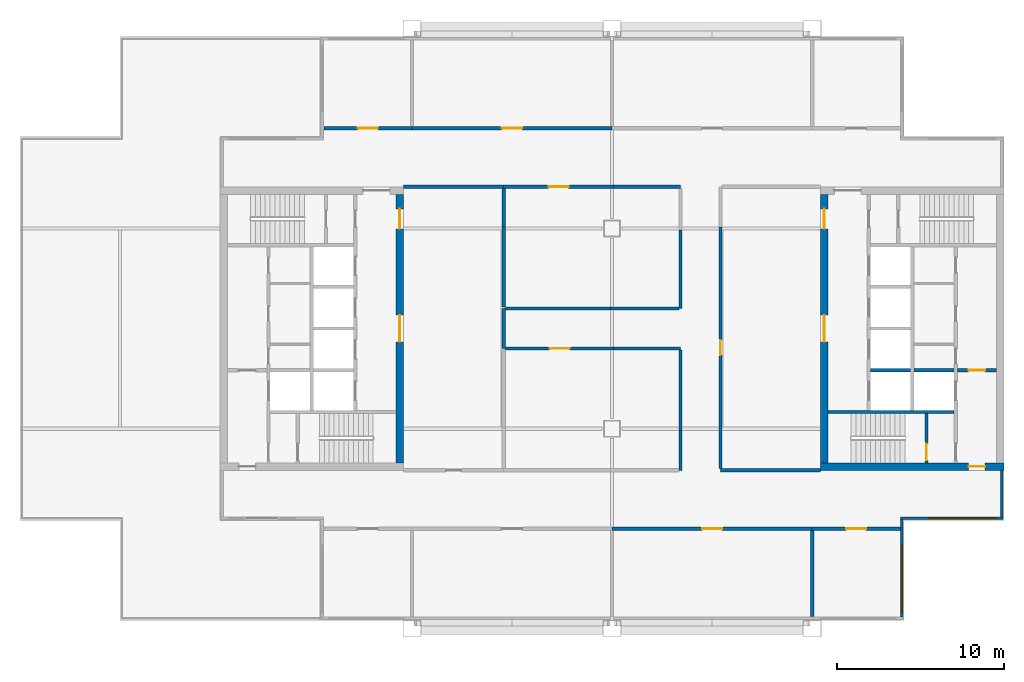
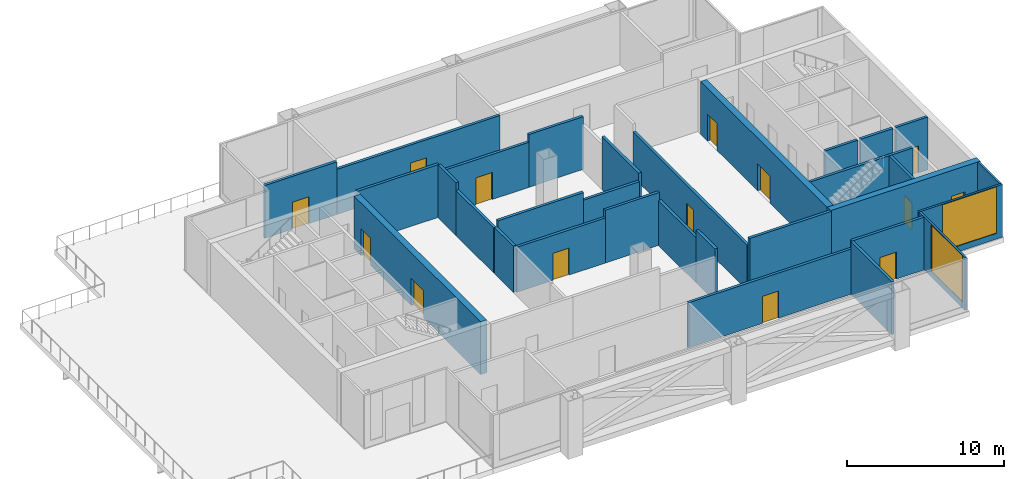
# One storey, part 3 of 6: 31 walls, 14 doors, 2 windows, 16 openings.
"""IFC4 building model written with IfcOpenShell, lengths in metres."""

from ifc_helpers import new_model, si_unit, direction, frame, frame_2d, origin, place, context, subcontext, project, spatial, rectangle, extrude, material, layer, layer_set, type_object, element, fill, save


model = new_model("IFC4")

# Units and contexts
model_context = context("Model", 3, precision=1e-05, world=origin(), true_north=direction((0.0, 1.0)))
body_context = subcontext(model_context, "Body", "Model", "MODEL_VIEW")
ifc_project = project(units=[si_unit("LENGTHUNIT", "METRE"), si_unit("AREAUNIT", "SQUARE_METRE"), si_unit("VOLUMEUNIT", "CUBIC_METRE"), si_unit("PLANEANGLEUNIT", "RADIAN"), si_unit("MASSUNIT", "GRAM", prefix="KILO")], contexts=[model_context])

# Site, building, storey
site_placement = place(None, origin())
site = spatial("IfcSite", under=ifc_project, at=site_placement, CompositionType="ELEMENT")
building_placement = place(site_placement, origin())
building = spatial("IfcBuilding", under=site, at=building_placement, Name="Kitamizu Gate Tower and Museum", CompositionType="ELEMENT")
storey_placement = place(building_placement, frame((0.0, 0.0, 213.449951171875)))
storey = spatial("IfcBuildingStorey", under=building, at=storey_placement, Name="L57", CompositionType="ELEMENT", Elevation=213.449951171875)

# Wall, openings, doors
ifc_material_1 = material(Name="Concrete Fc42", Category="concrete")
ifc_layer_1 = layer(ifc_material_1, 0.449951171875)
ifc_layer_set_1 = layer_set([ifc_layer_1], Name="Concrete Fc42")
wall_type_1 = type_object("IfcWallType", Name="Core wall 450", PredefinedType="SHEAR", material=ifc_layer_set_1)
wall_1_placement = place(storey_placement, frame((23.27490234375, 21.949951171875, 0.0), z_axis=(0.0, 0.0, 1.0), x_axis=(0.0, 1.0, 0.0)))
wall_1 = element("IfcWall", 1, at=wall_1_placement, inside=storey, type_object=wall_type_1, Name="Core wall WARC", PredefinedType="SHEAR", context=body_context, shape_type="SweptSolid", body=[
    extrude(rectangle(XDim=16.10009765625, YDim=0.449951171875, at=frame_2d((8.050048828125, 0.0))), origin(), (0.0, 0.0, 1.0), 4.10009765625),
])
opening_1_placement = place(wall_1_placement, frame((7.25, 0.0, 0.0)))
opening_1 = element("IfcOpeningElement", 2, at=opening_1_placement, cuts=wall_1, Name="Opening L57-020", PredefinedType="OPENING", context=body_context, shape_type="SweptSolid", body=[
    extrude(rectangle(XDim=1.60009765625, YDim=2.10009765625, at=frame_2d((0.800048828125, 1.050048828125))), frame((0.0, 0.23486328125, 0.0), z_axis=(0.0, -1.0, 0.0), x_axis=(1.0, 0.0, 0.0)), (0.0, 0.0, 1.0), 0.469970703125),
])
opening_2_placement = place(wall_1_placement, frame((14.02490234375, 0.0, 0.0)))
opening_2 = element("IfcOpeningElement", 3, at=opening_2_placement, cuts=wall_1, Name="Opening L57-021", PredefinedType="OPENING", context=body_context, shape_type="SweptSolid", body=[
    extrude(rectangle(XDim=1.199951171875, YDim=2.10009765625, at=frame_2d((0.60009765625, 1.050048828125))), frame((0.0, 0.23486328125, 0.0), z_axis=(0.0, -1.0, 0.0), x_axis=(1.0, 0.0, 0.0)), (0.0, 0.0, 1.0), 0.469970703125),
])
ifc_material_2 = material(Name="Timber door set", Category="wood")
door_type_1 = type_object("IfcDoorType", Name="Entrance door 1600", OperationType="DOUBLE_DOOR_SINGLE_SWING", PredefinedType="DOOR", material=ifc_material_2)
door_1_placement = place(opening_1_placement, origin())
door_1 = element("IfcDoor", 4, at=door_1_placement, inside=storey, type_object=door_type_1, Name="Lobby door L57-020", OperationType="DOUBLE_DOOR_SINGLE_SWING", OverallHeight=2.10009765625, OverallWidth=1.60009765625, PredefinedType="DOOR", context=body_context, shape_type="SweptSolid", body=[
    extrude(rectangle(XDim=1.60009765625, YDim=2.10009765625, at=frame_2d((0.800048828125, 1.050048828125))), frame((0.0, 0.02490234375, 0.0), z_axis=(0.0, -1.0, 0.0), x_axis=(1.0, 0.0, 0.0)), (0.0, 0.0, 1.0), 0.050048828125),
])
fill(opening_1, door_1)
ifc_material_3 = material(Name="Timber door set", Category="wood")
door_type_2 = type_object("IfcDoorType", Name="Refuge door 1200", OperationType="NOTDEFINED", PredefinedType="DOOR", material=ifc_material_3)
door_2_placement = place(opening_2_placement, frame((1.199951171875, 0.0, 0.0), x_axis=(-1.0, 0.0, 0.0)))
door_2 = element("IfcDoor", 5, at=door_2_placement, inside=storey, type_object=door_type_2, Name="Refuge door L57-021", OperationType="SINGLE_SWING_RIGHT", OverallHeight=2.10009765625, OverallWidth=1.199951171875, PredefinedType="DOOR", context=body_context, shape_type="SweptSolid", body=[
    extrude(rectangle(XDim=1.199951171875, YDim=2.10009765625, at=frame_2d((0.60009765625, 1.050048828125))), frame((0.0, 0.02490234375, 0.0), z_axis=(0.0, -1.0, 0.0), x_axis=(1.0, 0.0, 0.0)), (0.0, 0.0, 1.0), 0.050048828125),
])
fill(opening_2, door_2)

# Wall, opening, door
wall_2_placement = place(storey_placement, frame((59.5, 21.72509765625, 0.0), z_axis=(0.0, 0.0, 1.0), x_axis=(-1.0, 0.0, 0.0)))
wall_2 = element("IfcWall", 6, at=wall_2_placement, inside=storey, type_object=wall_type_1, Name="Core wall ES", PredefinedType="SHEAR", context=body_context, shape_type="SweptSolid", body=[
    extrude(rectangle(XDim=11.0, YDim=0.449951171875, at=frame_2d((5.5, 0.0))), origin(), (0.0, 0.0, 1.0), 4.10009765625),
])
opening_3_placement = place(wall_2_placement, frame((1.125, 0.0, 0.0)))
opening_3 = element("IfcOpeningElement", 7, at=opening_3_placement, cuts=wall_2, Name="Opening L57-030", PredefinedType="OPENING", context=body_context, shape_type="SweptSolid", body=[
    extrude(rectangle(XDim=1.0, YDim=2.10009765625, at=frame_2d((0.5, 1.050048828125))), frame((0.0, 0.23486328125, 0.0), z_axis=(0.0, -1.0, 0.0), x_axis=(1.0, 0.0, 0.0)), (0.0, 0.0, 1.0), 0.469970703125),
])
ifc_material_4 = material(Name="Hollow metal door set")
door_type_3 = type_object("IfcDoorType", Name="Fire door 1000", OperationType="NOTDEFINED", PredefinedType="DOOR", material=ifc_material_4)
door_3_placement = place(opening_3_placement, frame((1.0, 0.0, 0.0), x_axis=(-1.0, 0.0, 0.0)))
door_3 = element("IfcDoor", 8, at=door_3_placement, inside=storey, type_object=door_type_3, Name="Fire-fighting lobby door L57-030", OperationType="SINGLE_SWING_LEFT", OverallHeight=2.10009765625, OverallWidth=1.0, PredefinedType="DOOR", context=body_context, shape_type="SweptSolid", body=[
    extrude(rectangle(XDim=1.0, YDim=2.10009765625, at=frame_2d((0.5, 1.050048828125))), frame((0.0, 0.02490234375, 0.0), z_axis=(0.0, -1.0, 0.0), x_axis=(1.0, 0.0, 0.0)), (0.0, 0.0, 1.0), 0.050048828125),
])
fill(opening_3, door_3)

# Wall, openings, doors
wall_3_placement = place(storey_placement, frame((48.72509765625, 21.949951171875, 0.0), z_axis=(0.0, 0.0, 1.0), x_axis=(0.0, 1.0, 0.0)))
wall_3 = element("IfcWall", 9, at=wall_3_placement, inside=storey, type_object=wall_type_1, Name="Core wall EARC", PredefinedType="SHEAR", context=body_context, shape_type="SweptSolid", body=[
    extrude(rectangle(XDim=16.10009765625, YDim=0.449951171875, at=frame_2d((8.050048828125, 0.0))), origin(), (0.0, 0.0, 1.0), 4.10009765625),
])
opening_4_placement = place(wall_3_placement, frame((7.25, 0.0, 0.0)))
opening_4 = element("IfcOpeningElement", 10, at=opening_4_placement, cuts=wall_3, Name="Opening L57-032", PredefinedType="OPENING", context=body_context, shape_type="SweptSolid", body=[
    extrude(rectangle(XDim=1.60009765625, YDim=2.10009765625, at=frame_2d((0.800048828125, 1.050048828125))), frame((0.0, 0.23486328125, 0.0), z_axis=(0.0, -1.0, 0.0), x_axis=(1.0, 0.0, 0.0)), (0.0, 0.0, 1.0), 0.469970703125),
])
opening_5_placement = place(wall_3_placement, frame((14.02490234375, 0.0, 0.0)))
opening_5 = element("IfcOpeningElement", 11, at=opening_5_placement, cuts=wall_3, Name="Opening L57-033", PredefinedType="OPENING", context=body_context, shape_type="SweptSolid", body=[
    extrude(rectangle(XDim=1.199951171875, YDim=2.10009765625, at=frame_2d((0.60009765625, 1.050048828125))), frame((0.0, 0.23486328125, 0.0), z_axis=(0.0, -1.0, 0.0), x_axis=(1.0, 0.0, 0.0)), (0.0, 0.0, 1.0), 0.469970703125),
])
door_4_placement = place(opening_4_placement, origin())
door_4 = element("IfcDoor", 12, at=door_4_placement, inside=storey, type_object=door_type_1, Name="Lobby door L57-032", OperationType="DOUBLE_DOOR_SINGLE_SWING", OverallHeight=2.10009765625, OverallWidth=1.60009765625, PredefinedType="DOOR", context=body_context, shape_type="SweptSolid", body=[
    extrude(rectangle(XDim=1.60009765625, YDim=2.10009765625, at=frame_2d((0.800048828125, 1.050048828125))), frame((0.0, 0.02490234375, 0.0), z_axis=(0.0, -1.0, 0.0), x_axis=(1.0, 0.0, 0.0)), (0.0, 0.0, 1.0), 0.050048828125),
])
fill(opening_4, door_4)
door_5_placement = place(opening_5_placement, origin())
door_5 = element("IfcDoor", 13, at=door_5_placement, inside=storey, type_object=door_type_2, Name="Refuge door L57-033", OperationType="SINGLE_SWING_LEFT", OverallHeight=2.10009765625, OverallWidth=1.199951171875, PredefinedType="DOOR", context=body_context, shape_type="SweptSolid", body=[
    extrude(rectangle(XDim=1.199951171875, YDim=2.10009765625, at=frame_2d((0.60009765625, 1.050048828125))), frame((0.0, 0.02490234375, 0.0), z_axis=(0.0, -1.0, 0.0), x_axis=(1.0, 0.0, 0.0)), (0.0, 0.0, 1.0), 0.050048828125),
])
fill(opening_5, door_5)

# Walls
ifc_material_5 = material(Name="Gypsum board on galvanised stud")
ifc_layer_2 = layer(ifc_material_5, 0.199951171875)
ifc_layer_set_2 = layer_set([ifc_layer_2], Name="Gypsum board on galvanised stud")
wall_type_2 = type_object("IfcWallType", Name="Partition 200", PredefinedType="PARTITIONING", material=ifc_layer_set_2)
wall_4_placement = place(storey_placement, frame((23.5, 38.5, 0.0), z_axis=(0.0, 0.0, 1.0), x_axis=(1.0, 0.0, 0.0)))
element("IfcWall", 14, at=wall_4_placement, inside=storey, type_object=wall_type_2, Name="Partition L57-002", PredefinedType="PARTITIONING", context=body_context, shape_type="SweptSolid", body=[
    extrude(rectangle(XDim=6.0, YDim=0.199951171875, at=frame_2d((3.0, 0.0))), origin(), (0.0, 0.0, 1.0), 4.10009765625),
])
wall_5_placement = place(storey_placement, frame((29.5, 31.199951171875, 0.0), z_axis=(0.0, 0.0, 1.0), x_axis=(0.0, -1.0, 0.0)))
element("IfcWall", 15, at=wall_5_placement, inside=storey, type_object=wall_type_2, Name="Partition L57-003", PredefinedType="PARTITIONING", context=body_context, shape_type="SweptSolid", body=[
    extrude(rectangle(XDim=2.39990234375, YDim=0.199951171875, at=frame_2d((1.199951171875, 0.0))), origin(), (0.0, 0.0, 1.0), 3.60009765625),
])
wall_6_placement = place(storey_placement, frame((48.5, 21.5, 0.0), z_axis=(0.0, 0.0, 1.0), x_axis=(-1.0, 0.0, 0.0)))
element("IfcWall", 16, at=wall_6_placement, inside=storey, type_object=wall_type_2, Name="Partition L57-004", PredefinedType="PARTITIONING", context=body_context, shape_type="SweptSolid", body=[
    extrude(rectangle(XDim=6.0, YDim=0.199951171875, at=frame_2d((3.0, 0.0))), origin(), (0.0, 0.0, 1.0), 4.10009765625),
])

# Wall, opening, door
wall_7_placement = place(storey_placement, frame((42.5, 21.60009765625, 0.0), z_axis=(0.0, 0.0, 1.0), x_axis=(0.0, 1.0, 0.0)))
wall_7 = element("IfcWall", 17, at=wall_7_placement, inside=storey, type_object=wall_type_2, Name="Partition L57-005", PredefinedType="PARTITIONING", context=body_context, shape_type="SweptSolid", body=[
    extrude(rectangle(XDim=14.5, YDim=0.199951171875, at=frame_2d((7.25, 0.0))), origin(), (0.0, 0.0, 1.0), 3.5),
])
opening_6_placement = place(wall_7_placement, frame((6.800048828125, 0.0, 0.0)))
opening_6 = element("IfcOpeningElement", 18, at=opening_6_placement, cuts=wall_7, Name="Opening L57-002", PredefinedType="OPENING", context=body_context, shape_type="SweptSolid", body=[
    extrude(rectangle(XDim=0.89990234375, YDim=2.10009765625, at=frame_2d((0.449951171875, 1.050048828125))), frame((0.0, 0.10986328125, 0.0), z_axis=(0.0, -1.0, 0.0), x_axis=(1.0, 0.0, 0.0)), (0.0, 0.0, 1.0), 0.219970703125),
])
ifc_material_6 = material(Name="Timber door set", Category="wood")
door_type_4 = type_object("IfcDoorType", Name="Store door 900", OperationType="NOTDEFINED", PredefinedType="DOOR", material=ifc_material_6)
door_6_placement = place(opening_6_placement, frame((0.89990234375, 0.0, 0.0), x_axis=(-1.0, 0.0, 0.0)))
door_6 = element("IfcDoor", 19, at=door_6_placement, inside=storey, type_object=door_type_4, Name="Store door L57-002", OperationType="SINGLE_SWING_RIGHT", OverallHeight=2.10009765625, OverallWidth=0.89990234375, PredefinedType="DOOR", context=body_context, shape_type="SweptSolid", body=[
    extrude(rectangle(XDim=0.89990234375, YDim=2.10009765625, at=frame_2d((0.449951171875, 1.050048828125))), frame((0.0, 0.02490234375, 0.0), z_axis=(0.0, -1.0, 0.0), x_axis=(1.0, 0.0, 0.0)), (0.0, 0.0, 1.0), 0.050048828125),
])
fill(opening_6, door_6)

wall_8_placement = place(storey_placement, frame((36.0, 18.0, 0.0), z_axis=(0.0, 0.0, 1.0), x_axis=(1.0, 0.0, 0.0)))
wall_8 = element("IfcWall", 20, at=wall_8_placement, inside=storey, type_object=wall_type_2, Name="Partition L57-010", PredefinedType="PARTITIONING", context=body_context, shape_type="SweptSolid", body=[
    extrude(rectangle(XDim=12.0, YDim=0.199951171875, at=frame_2d((6.0, 0.0))), origin(), (0.0, 0.0, 1.0), 3.5),
])
opening_7_placement = place(wall_8_placement, frame((5.39990234375, 0.0, 0.0)))
opening_7 = element("IfcOpeningElement", 21, at=opening_7_placement, cuts=wall_8, Name="Opening L57-005", PredefinedType="OPENING", context=body_context, shape_type="SweptSolid", body=[
    extrude(rectangle(XDim=1.199951171875, YDim=2.10009765625, at=frame_2d((0.60009765625, 1.050048828125))), frame((0.0, 0.10986328125, 0.0), z_axis=(0.0, -1.0, 0.0), x_axis=(1.0, 0.0, 0.0)), (0.0, 0.0, 1.0), 0.219970703125),
])
ifc_material_7 = material(Name="Timber door set", Category="wood")
door_type_5 = type_object("IfcDoorType", Name="Plant room door 1200", OperationType="DOUBLE_DOOR_SINGLE_SWING", PredefinedType="DOOR", material=ifc_material_7)
door_7_placement = place(opening_7_placement, origin())
door_7 = element("IfcDoor", 22, at=door_7_placement, inside=storey, type_object=door_type_5, Name="Plant room door L57-005", OperationType="DOUBLE_DOOR_SINGLE_SWING", OverallHeight=2.10009765625, OverallWidth=1.199951171875, PredefinedType="DOOR", context=body_context, shape_type="SweptSolid", body=[
    extrude(rectangle(XDim=1.199951171875, YDim=2.10009765625, at=frame_2d((0.60009765625, 1.050048828125))), frame((0.0, 0.02490234375, 0.0), z_axis=(0.0, -1.0, 0.0), x_axis=(1.0, 0.0, 0.0)), (0.0, 0.0, 1.0), 0.050048828125),
])
fill(opening_7, door_7)

wall_9_placement = place(storey_placement, frame((48.0, 18.0, 0.0), z_axis=(0.0, 0.0, 1.0), x_axis=(1.0, 0.0, 0.0)))
wall_9 = element("IfcWall", 23, at=wall_9_placement, inside=storey, type_object=wall_type_2, Name="Partition L57-011", PredefinedType="PARTITIONING", context=body_context, shape_type="SweptSolid", body=[
    extrude(rectangle(XDim=5.280029296875, YDim=0.199951171875, at=frame_2d((2.64013671875, 0.0))), origin(), (0.0, 0.0, 1.0), 4.10009765625),
])
opening_8_placement = place(wall_9_placement, frame((2.0400390625, 0.0, 0.0)))
opening_8 = element("IfcOpeningElement", 24, at=opening_8_placement, cuts=wall_9, Name="Opening L57-006", PredefinedType="OPENING", context=body_context, shape_type="SweptSolid", body=[
    extrude(rectangle(XDim=1.199951171875, YDim=2.10009765625, at=frame_2d((0.60009765625, 1.050048828125))), frame((0.0, 0.10986328125, 0.0), z_axis=(0.0, -1.0, 0.0), x_axis=(1.0, 0.0, 0.0)), (0.0, 0.0, 1.0), 0.219970703125),
])
door_8_placement = place(opening_8_placement, origin())
door_8 = element("IfcDoor", 25, at=door_8_placement, inside=storey, type_object=door_type_5, Name="Plant room door L57-006", OperationType="DOUBLE_DOOR_SINGLE_SWING", OverallHeight=2.10009765625, OverallWidth=1.199951171875, PredefinedType="DOOR", context=body_context, shape_type="SweptSolid", body=[
    extrude(rectangle(XDim=1.199951171875, YDim=2.10009765625, at=frame_2d((0.60009765625, 1.050048828125))), frame((0.0, 0.02490234375, 0.0), z_axis=(0.0, -1.0, 0.0), x_axis=(1.0, 0.0, 0.0)), (0.0, 0.0, 1.0), 0.050048828125),
])
fill(opening_8, door_8)

wall_10_placement = place(storey_placement, frame((24.0, 42.0, 0.0), z_axis=(0.0, 0.0, 1.0), x_axis=(-1.0, 0.0, 0.0)))
wall_10 = element("IfcWall", 26, at=wall_10_placement, inside=storey, type_object=wall_type_2, Name="Partition L57-012", PredefinedType="PARTITIONING", context=body_context, shape_type="SweptSolid", body=[
    extrude(rectangle(XDim=5.280029296875, YDim=0.199951171875, at=frame_2d((2.64013671875, 0.0))), origin(), (0.0, 0.0, 1.0), 4.10009765625),
])
opening_9_placement = place(wall_10_placement, frame((2.0400390625, 0.0, 0.0)))
opening_9 = element("IfcOpeningElement", 27, at=opening_9_placement, cuts=wall_10, Name="Opening L57-007", PredefinedType="OPENING", context=body_context, shape_type="SweptSolid", body=[
    extrude(rectangle(XDim=1.199951171875, YDim=2.10009765625, at=frame_2d((0.60009765625, 1.050048828125))), frame((0.0, 0.10986328125, 0.0), z_axis=(0.0, -1.0, 0.0), x_axis=(1.0, 0.0, 0.0)), (0.0, 0.0, 1.0), 0.219970703125),
])
door_9_placement = place(opening_9_placement, origin())
door_9 = element("IfcDoor", 28, at=door_9_placement, inside=storey, type_object=door_type_5, Name="Plant room door L57-007", OperationType="DOUBLE_DOOR_SINGLE_SWING", OverallHeight=2.10009765625, OverallWidth=1.199951171875, PredefinedType="DOOR", context=body_context, shape_type="SweptSolid", body=[
    extrude(rectangle(XDim=1.199951171875, YDim=2.10009765625, at=frame_2d((0.60009765625, 1.050048828125))), frame((0.0, 0.02490234375, 0.0), z_axis=(0.0, -1.0, 0.0), x_axis=(1.0, 0.0, 0.0)), (0.0, 0.0, 1.0), 0.050048828125),
])
fill(opening_9, door_9)

wall_11_placement = place(storey_placement, frame((36.0, 42.0, 0.0), z_axis=(0.0, 0.0, 1.0), x_axis=(-1.0, 0.0, 0.0)))
wall_11 = element("IfcWall", 29, at=wall_11_placement, inside=storey, type_object=wall_type_2, Name="Partition L57-013", PredefinedType="PARTITIONING", context=body_context, shape_type="SweptSolid", body=[
    extrude(rectangle(XDim=12.0, YDim=0.199951171875, at=frame_2d((6.0, 0.0))), origin(), (0.0, 0.0, 1.0), 3.5),
])
opening_10_placement = place(wall_11_placement, frame((5.39990234375, 0.0, 0.0)))
opening_10 = element("IfcOpeningElement", 30, at=opening_10_placement, cuts=wall_11, Name="Opening L57-008", PredefinedType="OPENING", context=body_context, shape_type="SweptSolid", body=[
    extrude(rectangle(XDim=1.199951171875, YDim=2.10009765625, at=frame_2d((0.60009765625, 1.050048828125))), frame((0.0, 0.10986328125, 0.0), z_axis=(0.0, -1.0, 0.0), x_axis=(1.0, 0.0, 0.0)), (0.0, 0.0, 1.0), 0.219970703125),
])
door_10_placement = place(opening_10_placement, origin())
door_10 = element("IfcDoor", 31, at=door_10_placement, inside=storey, type_object=door_type_5, Name="Plant room door L57-008", OperationType="DOUBLE_DOOR_SINGLE_SWING", OverallHeight=2.10009765625, OverallWidth=1.199951171875, PredefinedType="DOOR", context=body_context, shape_type="SweptSolid", body=[
    extrude(rectangle(XDim=1.199951171875, YDim=2.10009765625, at=frame_2d((0.60009765625, 1.050048828125))), frame((0.0, 0.02490234375, 0.0), z_axis=(0.0, -1.0, 0.0), x_axis=(1.0, 0.0, 0.0)), (0.0, 0.0, 1.0), 0.050048828125),
])
fill(opening_10, door_10)

wall_12_placement = place(storey_placement, frame((29.60009765625, 28.800048828125, 0.0), z_axis=(0.0, 0.0, 1.0), x_axis=(1.0, 0.0, 0.0)))
wall_12 = element("IfcWall", 32, at=wall_12_placement, inside=storey, type_object=wall_type_2, Name="Partition L57-016", PredefinedType="PARTITIONING", context=body_context, shape_type="SweptSolid", body=[
    extrude(rectangle(XDim=6.5, YDim=0.199951171875, at=frame_2d((3.25, 0.0))), origin(), (0.0, 0.0, 1.0), 3.5),
])
opening_11_placement = place(wall_12_placement, frame((2.64990234375, 0.0, 0.0)))
opening_11 = element("IfcOpeningElement", 33, at=opening_11_placement, cuts=wall_12, Name="Opening L57-011", PredefinedType="OPENING", context=body_context, shape_type="SweptSolid", body=[
    extrude(rectangle(XDim=1.199951171875, YDim=2.10009765625, at=frame_2d((0.60009765625, 1.050048828125))), frame((0.0, 0.10986328125, 0.0), z_axis=(0.0, -1.0, 0.0), x_axis=(1.0, 0.0, 0.0)), (0.0, 0.0, 1.0), 0.219970703125),
])
door_11_placement = place(opening_11_placement, origin())
door_11 = element("IfcDoor", 34, at=door_11_placement, inside=storey, type_object=door_type_5, Name="Plant room door L57-011", OperationType="DOUBLE_DOOR_SINGLE_SWING", OverallHeight=2.10009765625, OverallWidth=1.199951171875, PredefinedType="DOOR", context=body_context, shape_type="SweptSolid", body=[
    extrude(rectangle(XDim=1.199951171875, YDim=2.10009765625, at=frame_2d((0.60009765625, 1.050048828125))), frame((0.0, 0.02490234375, 0.0), z_axis=(0.0, -1.0, 0.0), x_axis=(1.0, 0.0, 0.0)), (0.0, 0.0, 1.0), 0.050048828125),
])
fill(opening_11, door_11)

# Walls
wall_13_placement = place(storey_placement, frame((36.10009765625, 28.800048828125, 0.0), z_axis=(0.0, 0.0, 1.0), x_axis=(1.0, 0.0, 0.0)))
element("IfcWall", 35, at=wall_13_placement, inside=storey, type_object=wall_type_2, Name="Partition L57-017", PredefinedType="PARTITIONING", context=body_context, shape_type="SweptSolid", body=[
    extrude(rectangle(XDim=4.0, YDim=0.199951171875, at=frame_2d((2.0, 0.0))), origin(), (0.0, 0.0, 1.0), 4.10009765625),
])
wall_14_placement = place(storey_placement, frame((40.10009765625, 28.699951171875, 0.0), z_axis=(0.0, 0.0, 1.0), x_axis=(0.0, -1.0, 0.0)))
element("IfcWall", 36, at=wall_14_placement, inside=storey, type_object=wall_type_2, Name="Partition L57-018", PredefinedType="PARTITIONING", context=body_context, shape_type="SweptSolid", body=[
    extrude(rectangle(XDim=4.800048828125, YDim=0.199951171875, at=frame_2d((2.39990234375, 0.0))), origin(), (0.0, 0.0, 1.0), 3.5),
])
wall_15_placement = place(storey_placement, frame((40.10009765625, 23.89990234375, 0.0), z_axis=(0.0, 0.0, 1.0), x_axis=(0.0, -1.0, 0.0)))
element("IfcWall", 37, at=wall_15_placement, inside=storey, type_object=wall_type_2, Name="Partition L57-019", PredefinedType="PARTITIONING", context=body_context, shape_type="SweptSolid", body=[
    extrude(rectangle(XDim=2.39990234375, YDim=0.199951171875, at=frame_2d((1.199951171875, 0.0))), origin(), (0.0, 0.0, 1.0), 4.10009765625),
])

# Wall, opening, door
wall_16_placement = place(storey_placement, frame((29.5, 38.5, 0.0), z_axis=(0.0, 0.0, 1.0), x_axis=(1.0, 0.0, 0.0)))
wall_16 = element("IfcWall", 38, at=wall_16_placement, inside=storey, type_object=wall_type_2, Name="Partition L57-022", PredefinedType="PARTITIONING", context=body_context, shape_type="SweptSolid", body=[
    extrude(rectangle(XDim=6.60009765625, YDim=0.199951171875, at=frame_2d((3.300048828125, 0.0))), origin(), (0.0, 0.0, 1.0), 3.5),
])
opening_12_placement = place(wall_16_placement, frame((2.699951171875, 0.0, 0.0)))
opening_12 = element("IfcOpeningElement", 39, at=opening_12_placement, cuts=wall_16, Name="Opening L57-012", PredefinedType="OPENING", context=body_context, shape_type="SweptSolid", body=[
    extrude(rectangle(XDim=1.199951171875, YDim=2.10009765625, at=frame_2d((0.60009765625, 1.050048828125))), frame((0.0, 0.10986328125, 0.0), z_axis=(0.0, -1.0, 0.0), x_axis=(1.0, 0.0, 0.0)), (0.0, 0.0, 1.0), 0.219970703125),
])
door_12_placement = place(opening_12_placement, origin())
door_12 = element("IfcDoor", 40, at=door_12_placement, inside=storey, type_object=door_type_5, Name="Plant room door L57-012", OperationType="DOUBLE_DOOR_SINGLE_SWING", OverallHeight=2.10009765625, OverallWidth=1.199951171875, PredefinedType="DOOR", context=body_context, shape_type="SweptSolid", body=[
    extrude(rectangle(XDim=1.199951171875, YDim=2.10009765625, at=frame_2d((0.60009765625, 1.050048828125))), frame((0.0, 0.02490234375, 0.0), z_axis=(0.0, -1.0, 0.0), x_axis=(1.0, 0.0, 0.0)), (0.0, 0.0, 1.0), 0.050048828125),
])
fill(opening_12, door_12)

# Walls
wall_17_placement = place(storey_placement, frame((36.10009765625, 38.5, 0.0), z_axis=(0.0, 0.0, 1.0), x_axis=(1.0, 0.0, 0.0)))
element("IfcWall", 41, at=wall_17_placement, inside=storey, type_object=wall_type_2, Name="Partition L57-023", PredefinedType="PARTITIONING", context=body_context, shape_type="SweptSolid", body=[
    extrude(rectangle(XDim=4.0, YDim=0.199951171875, at=frame_2d((2.0, 0.0))), origin(), (0.0, 0.0, 1.0), 4.10009765625),
])
wall_18_placement = place(storey_placement, frame((40.10009765625, 35.89990234375, 0.0), z_axis=(0.0, 0.0, 1.0), x_axis=(0.0, -1.0, 0.0)))
element("IfcWall", 42, at=wall_18_placement, inside=storey, type_object=wall_type_2, Name="Partition L57-025", PredefinedType="PARTITIONING", context=body_context, shape_type="SweptSolid", body=[
    extrude(rectangle(XDim=4.699951171875, YDim=0.199951171875, at=frame_2d((2.35009765625, 0.0))), origin(), (0.0, 0.0, 1.0), 4.10009765625),
])
wall_19_placement = place(storey_placement, frame((40.0, 31.199951171875, 0.0), z_axis=(0.0, 0.0, 1.0), x_axis=(-1.0, 0.0, 0.0)))
element("IfcWall", 43, at=wall_19_placement, inside=storey, type_object=wall_type_2, Name="Partition L57-026", PredefinedType="PARTITIONING", context=body_context, shape_type="SweptSolid", body=[
    extrude(rectangle(XDim=4.10009765625, YDim=0.199951171875, at=frame_2d((2.050048828125, 0.0))), origin(), (0.0, 0.0, 1.0), 3.5),
])
wall_20_placement = place(storey_placement, frame((35.89990234375, 31.199951171875, 0.0), z_axis=(0.0, 0.0, 1.0), x_axis=(-1.0, 0.0, 0.0)))
element("IfcWall", 44, at=wall_20_placement, inside=storey, type_object=wall_type_2, Name="Partition L57-027", PredefinedType="PARTITIONING", context=body_context, shape_type="SweptSolid", body=[
    extrude(rectangle(XDim=6.2998046875, YDim=0.199951171875, at=frame_2d((3.14990234375, 0.0))), origin(), (0.0, 0.0, 1.0), 4.10009765625),
])
wall_21_placement = place(storey_placement, frame((29.5, 31.300048828125, 0.0), z_axis=(0.0, 0.0, 1.0), x_axis=(0.0, 1.0, 0.0)))
element("IfcWall", 45, at=wall_21_placement, inside=storey, type_object=wall_type_2, Name="Partition L57-030", PredefinedType="PARTITIONING", context=body_context, shape_type="SweptSolid", body=[
    extrude(rectangle(XDim=4.800048828125, YDim=0.199951171875, at=frame_2d((2.39990234375, 0.0))), origin(), (0.0, 0.0, 1.0), 3.5),
])
wall_22_placement = place(storey_placement, frame((29.5, 36.10009765625, 0.0), z_axis=(0.0, 0.0, 1.0), x_axis=(0.0, 1.0, 0.0)))
element("IfcWall", 46, at=wall_22_placement, inside=storey, type_object=wall_type_2, Name="Partition L57-031", PredefinedType="PARTITIONING", context=body_context, shape_type="SweptSolid", body=[
    extrude(rectangle(XDim=2.2998046875, YDim=0.199951171875, at=frame_2d((1.14990234375, 0.0))), origin(), (0.0, 0.0, 1.0), 4.10009765625),
])
wall_23_placement = place(storey_placement, frame((48.0, 12.719970703125, 0.0), z_axis=(0.0, 0.0, 1.0), x_axis=(0.0, 1.0, 0.0)))
element("IfcWall", 47, at=wall_23_placement, inside=storey, type_object=wall_type_2, Name="Partition L57-034", PredefinedType="PARTITIONING", context=body_context, shape_type="SweptSolid", body=[
    extrude(rectangle(XDim=5.179931640625, YDim=0.199951171875, at=frame_2d((2.58984375, 0.0))), origin(), (0.0, 0.0, 1.0), 4.10009765625),
])
ifc_material_8 = material(Name="Concrete Fc42", Category="concrete")
ifc_layer_3 = layer(ifc_material_8, 0.199951171875)
ifc_layer_set_3 = layer_set([ifc_layer_3], Name="Concrete Fc42")
wall_type_3 = type_object("IfcWallType", Name="Shaft wall 200", PredefinedType="SOLIDWALL", material=ifc_layer_set_3)
wall_24_placement = place(storey_placement, frame((56.5, 25.0, 0.0), z_axis=(0.0, 0.0, 1.0), x_axis=(-1.0, 0.0, 0.0)))
element("IfcWall", 48, at=wall_24_placement, inside=storey, type_object=wall_type_3, Name="Shaft wall ESB", PredefinedType="SOLIDWALL", context=body_context, shape_type="SweptSolid", body=[
    extrude(rectangle(XDim=7.550048828125, YDim=0.199951171875, at=frame_2d((3.77490234375, 0.0))), origin(), (0.0, 0.0, 1.0), 4.10009765625),
])

# Wall, opening, door
wall_25_placement = place(storey_placement, frame((59.050048828125, 27.5, 0.0), z_axis=(0.0, 0.0, 1.0), x_axis=(-1.0, 0.0, 0.0)))
wall_25 = element("IfcWall", 49, at=wall_25_placement, inside=storey, type_object=wall_type_3, Name="Shaft wall EFFN", PredefinedType="SOLIDWALL", context=body_context, shape_type="SweptSolid", body=[
    extrude(rectangle(XDim=2.35009765625, YDim=0.199951171875, at=frame_2d((1.175048828125, 0.0))), origin(), (0.0, 0.0, 1.0), 4.10009765625),
])
opening_13_placement = place(wall_25_placement, frame((0.675048828125, 0.0, 0.0)))
opening_13 = element("IfcOpeningElement", 50, at=opening_13_placement, cuts=wall_25, Name="Opening L57-029", PredefinedType="OPENING", context=body_context, shape_type="SweptSolid", body=[
    extrude(rectangle(XDim=1.0, YDim=2.10009765625, at=frame_2d((0.5, 1.050048828125))), frame((0.0, 0.10986328125, 0.0), z_axis=(0.0, -1.0, 0.0), x_axis=(1.0, 0.0, 0.0)), (0.0, 0.0, 1.0), 0.219970703125),
])
door_13_placement = place(opening_13_placement, origin())
door_13 = element("IfcDoor", 51, at=door_13_placement, inside=storey, type_object=door_type_3, Name="Fire-fighting lobby door L57-029", OperationType="SINGLE_SWING_LEFT", OverallHeight=2.10009765625, OverallWidth=1.0, PredefinedType="DOOR", context=body_context, shape_type="SweptSolid", body=[
    extrude(rectangle(XDim=1.0, YDim=2.10009765625, at=frame_2d((0.5, 1.050048828125))), frame((0.0, 0.02490234375, 0.0), z_axis=(0.0, -1.0, 0.0), x_axis=(1.0, 0.0, 0.0)), (0.0, 0.0, 1.0), 0.050048828125),
])
fill(opening_13, door_13)

wall_26_placement = place(storey_placement, frame((54.85009765625, 21.949951171875, 0.0), z_axis=(0.0, 0.0, 1.0), x_axis=(0.0, 1.0, 0.0)))
wall_26 = element("IfcWall", 52, at=wall_26_placement, inside=storey, type_object=wall_type_3, Name="Shaft wall ESZ", PredefinedType="SOLIDWALL", context=body_context, shape_type="SweptSolid", body=[
    extrude(rectangle(XDim=2.949951171875, YDim=0.199951171875, at=frame_2d((1.47509765625, 0.0))), origin(), (0.0, 0.0, 1.0), 4.10009765625),
])
opening_14_placement = place(wall_26_placement, frame((0.14990234375, 0.0, 0.0)))
opening_14 = element("IfcOpeningElement", 53, at=opening_14_placement, cuts=wall_26, Name="Opening L57-025", PredefinedType="OPENING", context=body_context, shape_type="SweptSolid", body=[
    extrude(rectangle(XDim=1.0, YDim=2.10009765625, at=frame_2d((0.5, 1.050048828125))), frame((0.0, 0.10986328125, 0.0), z_axis=(0.0, -1.0, 0.0), x_axis=(1.0, 0.0, 0.0)), (0.0, 0.0, 1.0), 0.219970703125),
])
door_14_placement = place(opening_14_placement, origin())
door_14 = element("IfcDoor", 54, at=door_14_placement, inside=storey, type_object=door_type_3, Name="Stair door L57-025", OperationType="SINGLE_SWING_RIGHT", OverallHeight=2.10009765625, OverallWidth=1.0, PredefinedType="DOOR", context=body_context, shape_type="SweptSolid", body=[
    extrude(rectangle(XDim=1.0, YDim=2.10009765625, at=frame_2d((0.5, 1.050048828125))), frame((0.0, 0.02490234375, 0.0), z_axis=(0.0, -1.0, 0.0), x_axis=(1.0, 0.0, 0.0)), (0.0, 0.0, 1.0), 0.050048828125),
])
fill(opening_14, door_14)

# Walls
for number, where, z_axis, x_axis, name in (
    (55, (56.5, 27.5, 0.0), (0.0, 0.0, 1.0), (-1.0, 0.0, 0.0), "Shaft wall EDVW0"),
    (56, (53.89990234375, 27.5, 0.0), (0.0, 0.0, 1.0), (-1.0, 0.0, 0.0), "Shaft wall EDVE0"),
):
    element("IfcWall", number, at=place(storey_placement, frame(where, z_axis=z_axis, x_axis=x_axis)), inside=storey, type_object=wall_type_3, Name=name, PredefinedType="SOLIDWALL", context=body_context, shape_type="SweptSolid", body=[
        extrude(rectangle(XDim=2.39990234375, YDim=0.199951171875, at=frame_2d((1.199951171875, 0.0))), origin(), (0.0, 0.0, 1.0), 4.10009765625),
    ])

# Wall, opening, window
ifc_material_9 = material(Name="Bronze anodised aluminium frame with insulated spandrel and tinted glass", Category="aluminium")
ifc_layer_4 = layer(ifc_material_9, 0.14990234375)
ifc_layer_set_4 = layer_set([ifc_layer_4], Name="Bronze anodised aluminium frame with insulated spandrel and tinted glass")
wall_type_4 = type_object("IfcWallType", Name="WINDOW WALL 150 BRONZE FRAME EI 60", PredefinedType="ELEMENTEDWALL", material=ifc_layer_set_4)
wall_27_placement = place(storey_placement, frame((53.364990234375, 12.7099609375, 0.0), z_axis=(0.0, 0.0, 1.0), x_axis=(0.0, 1.0, 0.0)))
wall_27 = element("IfcWall", 57, at=wall_27_placement, inside=storey, type_object=wall_type_4, Name="Window wall east L57", PredefinedType="ELEMENTEDWALL", context=body_context, shape_type="SweptSolid", body=[
    extrude(rectangle(XDim=5.85009765625, YDim=0.14990234375, at=frame_2d((2.925048828125, 0.0))), origin(), (0.0, 0.0, 1.0), 4.10009765625),
])
opening_15_placement = place(wall_27_placement, frame((0.2900390625, 0.0, 0.449951171875)))
opening_15 = element("IfcOpeningElement", 58, at=opening_15_placement, cuts=wall_27, Name="Opening W18", PredefinedType="OPENING", context=body_context, shape_type="SweptSolid", body=[
    extrude(rectangle(XDim=4.0, YDim=3.60009765625, at=frame_2d((2.0, 1.800048828125))), frame((0.0, 0.0849609375, 0.0), z_axis=(0.0, -1.0, 0.0), x_axis=(1.0, 0.0, 0.0)), (0.0, 0.0, 1.0), 0.169921875),
])
ifc_material_10 = material(Name="Bronze anodised aluminium frame, tinted triple glazing", Category="aluminium")
window_type = type_object("IfcWindowType", Name="WINDOW 4000 x 3600 SILL 450", PartitioningType="SINGLE_PANEL", PredefinedType="WINDOW", material=ifc_material_10)
window_1_placement = place(opening_15_placement, origin())
window_1 = element("IfcWindow", 59, at=window_1_placement, inside=storey, type_object=window_type, Name="Window W18 L57", OverallHeight=3.60009765625, OverallWidth=4.0, PartitioningType="SINGLE_PANEL", PredefinedType="WINDOW", context=body_context, shape_type="SweptSolid", body=[
    extrude(rectangle(XDim=4.0, YDim=3.60009765625, at=frame_2d((2.0, 1.800048828125))), frame((0.0, 0.030029296875, 0.0), z_axis=(0.0, -1.0, 0.0), x_axis=(1.0, 0.0, 0.0)), (0.0, 0.0, 1.0), 0.06005859375),
])
fill(opening_15, window_1)

wall_28_placement = place(storey_placement, frame((53.2900390625, 18.635009765625, 0.0), z_axis=(0.0, 0.0, 1.0), x_axis=(1.0, 0.0, 0.0)))
wall_28 = element("IfcWall", 60, at=wall_28_placement, inside=storey, type_object=wall_type_4, Name="Window wall south L57", PredefinedType="ELEMENTEDWALL", context=body_context, shape_type="SweptSolid", body=[
    extrude(rectangle(XDim=6.14990234375, YDim=0.14990234375, at=frame_2d((3.074951171875, 0.0))), origin(), (0.0, 0.0, 1.0), 4.10009765625),
])
opening_16_placement = place(wall_28_placement, frame((1.7099609375, 0.0, 0.449951171875)))
opening_16 = element("IfcOpeningElement", 61, at=opening_16_placement, cuts=wall_28, Name="Opening W18", PredefinedType="OPENING", context=body_context, shape_type="SweptSolid", body=[
    extrude(rectangle(XDim=4.0, YDim=3.60009765625, at=frame_2d((2.0, 1.800048828125))), frame((0.0, 0.0849609375, 0.0), z_axis=(0.0, -1.0, 0.0), x_axis=(1.0, 0.0, 0.0)), (0.0, 0.0, 1.0), 0.169921875),
])
window_2_placement = place(opening_16_placement, origin())
window_2 = element("IfcWindow", 62, at=window_2_placement, inside=storey, type_object=window_type, Name="Window W18 L57", OverallHeight=3.60009765625, OverallWidth=4.0, PartitioningType="SINGLE_PANEL", PredefinedType="WINDOW", context=body_context, shape_type="SweptSolid", body=[
    extrude(rectangle(XDim=4.0, YDim=3.60009765625, at=frame_2d((2.0, 1.800048828125))), frame((0.0, 0.030029296875, 0.0), z_axis=(0.0, -1.0, 0.0), x_axis=(1.0, 0.0, 0.0)), (0.0, 0.0, 1.0), 0.06005859375),
])
fill(opening_16, window_2)

# Wall
wall_29_placement = place(storey_placement, frame((59.364990234375, 18.7099609375, 0.0), z_axis=(0.0, 0.0, 1.0), x_axis=(0.0, 1.0, 0.0)))
element("IfcWall", 63, at=wall_29_placement, inside=storey, type_object=wall_type_4, Name="Window wall east L57", PredefinedType="ELEMENTEDWALL", context=body_context, shape_type="SweptSolid", body=[
    extrude(rectangle(XDim=2.7900390625, YDim=0.14990234375, at=frame_2d((1.39501953125, 0.0))), origin(), (0.0, 0.0, 1.0), 4.10009765625),
])

save(model, "model.ifc")
